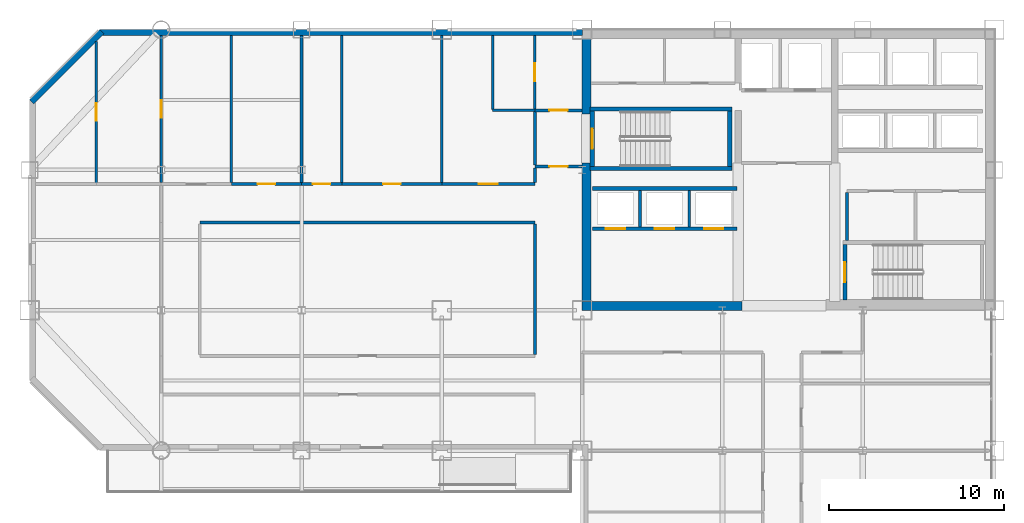
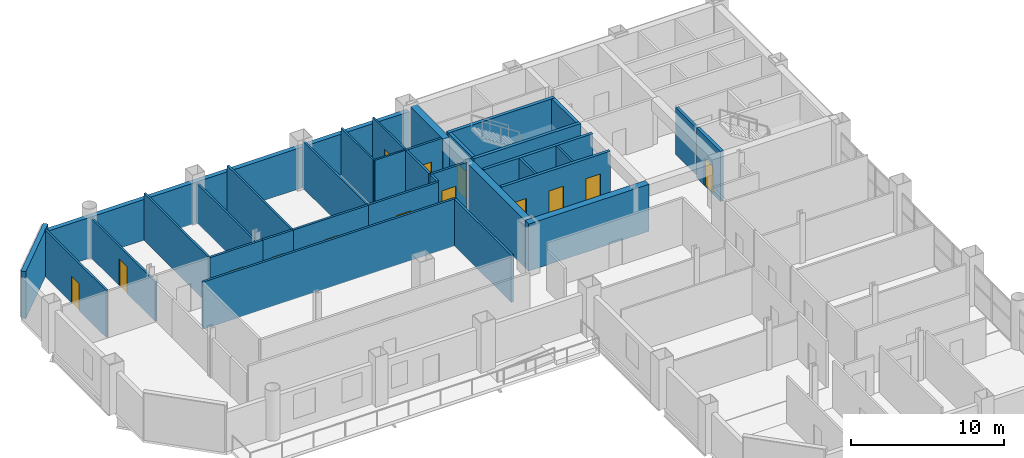
# One storey, part 13 of 16: 34 walls, 14 doors, 14 openings.
"""IFC4 building model written with IfcOpenShell, lengths in metres."""

from ifc_helpers import new_model, si_unit, direction, frame, frame_2d, origin, place, context, subcontext, project, spatial, rectangle, extrude, material, layer, layer_set, type_object, element, fill, save


model = new_model("IFC4")

# Units and contexts
model_context = context("Model", 3, precision=1e-05, world=origin(), true_north=direction((0.0, 1.0)))
body_context = subcontext(model_context, "Body", "Model", "MODEL_VIEW")
ifc_project = project(units=[si_unit("LENGTHUNIT", "METRE"), si_unit("AREAUNIT", "SQUARE_METRE"), si_unit("VOLUMEUNIT", "CUBIC_METRE"), si_unit("PLANEANGLEUNIT", "RADIAN"), si_unit("MASSUNIT", "GRAM", prefix="KILO")], contexts=[model_context])

# Site, building, storey
site_placement = place(None, origin())
site = spatial("IfcSite", under=ifc_project, at=site_placement, CompositionType="ELEMENT")
building_placement = place(site_placement, origin())
building = spatial("IfcBuilding", under=site, at=building_placement, Name="Qianrong Seaharbour Tower", CompositionType="ELEMENT")
storey_placement = place(building_placement, frame((0.0, 0.0, 119.0)))
storey = spatial("IfcBuildingStorey", under=building, at=storey_placement, Name="L28", CompositionType="ELEMENT", Elevation=119.0)

# Walls
ifc_material_1 = material(Name="Concrete C60/75", Category="concrete")
ifc_layer_1 = layer(ifc_material_1, 0.5)
ifc_layer_set_1 = layer_set([ifc_layer_1], Name="Concrete C60/75")
wall_type_1 = type_object("IfcWallType", Name="WALL-CORE-500", PredefinedType="SHEAR", material=ifc_layer_set_1)
wall_1_placement = place(storey_placement, frame((40.75, 36.5, 0.0), z_axis=(0.0, 0.0, 1.0), x_axis=(0.0, 1.0, 0.0)))
element("IfcWall", 1, at=wall_1_placement, inside=storey, type_object=wall_type_1, Name="L28 West Core Shear Wall South", PredefinedType="SHEAR", context=body_context, shape_type="SweptSolid", body=[
    extrude(rectangle(XDim=7.89990234375, YDim=0.5, at=frame_2d((3.949951171875, 0.0))), origin(), (0.0, 0.0, 1.0), 3.764892578125),
])
wall_2_placement = place(storey_placement, frame((40.75, 47.199951171875, 0.0), z_axis=(0.0, 0.0, 1.0), x_axis=(0.0, 1.0, 0.0)))
element("IfcWall", 2, at=wall_2_placement, inside=storey, type_object=wall_type_1, Name="L28 West Core Shear Wall North", PredefinedType="SHEAR", context=body_context, shape_type="SweptSolid", body=[
    extrude(rectangle(XDim=4.300048828125, YDim=0.5, at=frame_2d((2.14990234375, 0.0))), origin(), (0.0, 0.0, 1.0), 3.764892578125),
])
wall_3_placement = place(storey_placement, frame((40.5, 36.25, 0.0), z_axis=(0.0, 0.0, 1.0), x_axis=(1.0, 0.0, 0.0)))
element("IfcWall", 3, at=wall_3_placement, inside=storey, type_object=wall_type_1, Name="L28 South Core Shear Wall S1", PredefinedType="SHEAR", context=body_context, shape_type="SweptSolid", body=[
    extrude(rectangle(XDim=9.10009765625, YDim=0.5, at=frame_2d((4.550048828125, 0.0))), origin(), (0.0, 0.0, 1.0), 3.764892578125),
])

# Wall, opening, door
ifc_material_2 = material(Name="Fire-rated acoustic gypsum board partition")
ifc_layer_2 = layer(ifc_material_2, 0.1650390625)
ifc_layer_set_2 = layer_set([ifc_layer_2], Name="Fire-rated acoustic gypsum board partition")
wall_type_2 = type_object("IfcWallType", Name="WALL-CORR-PART-165", PredefinedType="PARTITIONING", material=ifc_layer_set_2)
wall_4_placement = place(storey_placement, frame((37.800048828125, 47.39990234375, 0.0), z_axis=(0.0, 0.0, 1.0), x_axis=(1.0, 0.0, 0.0)))
wall_4 = element("IfcWall", 4, at=wall_4_placement, inside=storey, type_object=wall_type_2, Name="L28 Interior Partition Wall 001", PredefinedType="PARTITIONING", context=body_context, shape_type="SweptSolid", body=[
    extrude(rectangle(XDim=2.699951171875, YDim=0.1650390625, at=frame_2d((1.35009765625, 0.0))), origin(), (0.0, 0.0, 1.0), 3.764892578125),
])
opening_1_placement = place(wall_4_placement, frame((0.824951171875, 0.0, 0.0)))
opening_1 = element("IfcOpeningElement", 5, at=opening_1_placement, cuts=wall_4, Name="Opening DC-01", PredefinedType="OPENING", context=body_context, shape_type="SweptSolid", body=[
    extrude(rectangle(XDim=1.050048828125, YDim=2.14990234375, at=frame_2d((0.52490234375, 1.074951171875))), frame((0.0, 0.092529296875, 0.0), z_axis=(0.0, -1.0, 0.0), x_axis=(1.0, 0.0, 0.0)), (0.0, 0.0, 1.0), 0.18505859375),
])
ifc_material_3 = material(Name="Acoustic timber and galvanized steel fire door assembly", Category="steel")
door_type_1 = type_object("IfcDoorType", Name="DOOR-CORR-FD60-1050x2150", OperationType="NOTDEFINED", PredefinedType="DOOR", material=ifc_material_3)
door_1_placement = place(opening_1_placement, origin())
door_1 = element("IfcDoor", 6, at=door_1_placement, inside=storey, type_object=door_type_1, Name="L28 Smokeproof Stair Vestibule ST-1 Door", OperationType="SINGLE_SWING_RIGHT", OverallHeight=2.14990234375, OverallWidth=1.050048828125, PredefinedType="DOOR", context=body_context, shape_type="SweptSolid", body=[
    extrude(rectangle(XDim=1.050048828125, YDim=2.14990234375, at=frame_2d((0.52490234375, 1.074951171875))), frame((0.0, 0.02490234375, 0.0), z_axis=(0.0, -1.0, 0.0), x_axis=(1.0, 0.0, 0.0)), (0.0, 0.0, 1.0), 0.050048828125),
])
fill(opening_1, door_1)

wall_5_placement = place(storey_placement, frame((40.5, 44.199951171875, 0.0), z_axis=(0.0, 0.0, 1.0), x_axis=(-1.0, 0.0, 0.0)))
wall_5 = element("IfcWall", 7, at=wall_5_placement, inside=storey, type_object=wall_type_2, Name="L28 Interior Partition Wall 002", PredefinedType="PARTITIONING", context=body_context, shape_type="SweptSolid", body=[
    extrude(rectangle(XDim=2.699951171875, YDim=0.1650390625, at=frame_2d((1.35009765625, 0.0))), origin(), (0.0, 0.0, 1.0), 3.764892578125),
])
opening_2_placement = place(wall_5_placement, frame((0.824951171875, 0.0, 0.0)))
opening_2 = element("IfcOpeningElement", 8, at=opening_2_placement, cuts=wall_5, Name="Opening DC-01", PredefinedType="OPENING", context=body_context, shape_type="SweptSolid", body=[
    extrude(rectangle(XDim=1.050048828125, YDim=2.14990234375, at=frame_2d((0.52490234375, 1.074951171875))), frame((0.0, 0.092529296875, 0.0), z_axis=(0.0, -1.0, 0.0), x_axis=(1.0, 0.0, 0.0)), (0.0, 0.0, 1.0), 0.18505859375),
])
door_2_placement = place(opening_2_placement, origin())
door_2 = element("IfcDoor", 9, at=door_2_placement, inside=storey, type_object=door_type_1, Name="L28 Smokeproof Stair Vestibule ST-1 Door", OperationType="SINGLE_SWING_LEFT", OverallHeight=2.14990234375, OverallWidth=1.050048828125, PredefinedType="DOOR", context=body_context, shape_type="SweptSolid", body=[
    extrude(rectangle(XDim=1.050048828125, YDim=2.14990234375, at=frame_2d((0.52490234375, 1.074951171875))), frame((0.0, 0.02490234375, 0.0), z_axis=(0.0, -1.0, 0.0), x_axis=(1.0, 0.0, 0.0)), (0.0, 0.0, 1.0), 0.050048828125),
])
fill(opening_2, door_2)

# Walls
wall_6_placement = place(storey_placement, frame((37.800048828125, 44.2744140625, 0.0), z_axis=(0.0, 0.0, 1.0), x_axis=(0.0, 1.0, 0.0)))
element("IfcWall", 10, at=wall_6_placement, inside=storey, type_object=wall_type_2, Name="L28 Interior Partition Wall 003", PredefinedType="PARTITIONING", context=body_context, shape_type="SweptSolid", body=[
    extrude(rectangle(XDim=3.051025390625, YDim=0.1650390625, at=frame_2d((1.525390625, 0.0))), origin(), (0.0, 0.0, 1.0), 3.764892578125),
])
wall_7_placement = place(storey_placement, frame((37.800048828125, 41.0, 0.0), z_axis=(0.0, 0.0, 1.0), x_axis=(-1.0, 0.0, 0.0)))
element("IfcWall", 11, at=wall_7_placement, inside=storey, type_object=wall_type_2, Name="L28 Interior Partition Wall 019", PredefinedType="PARTITIONING", context=body_context, shape_type="SweptSolid", body=[
    extrude(rectangle(XDim=19.10009765625, YDim=0.1650390625, at=frame_2d((9.550048828125, 0.0))), origin(), (0.0, 0.0, 1.0), 3.764892578125),
])

# Wall, opening, door
wall_8_placement = place(storey_placement, frame((20.5, 43.199951171875, 0.0), z_axis=(0.0, 0.0, 1.0), x_axis=(1.0, 0.0, 0.0)))
wall_8 = element("IfcWall", 12, at=wall_8_placement, inside=storey, type_object=wall_type_2, Name="L28 Interior Partition Wall 021", PredefinedType="PARTITIONING", context=body_context, shape_type="SweptSolid", body=[
    extrude(rectangle(XDim=4.0, YDim=0.1650390625, at=frame_2d((2.0, 0.0))), origin(), (0.0, 0.0, 1.0), 3.764892578125),
])
opening_3_placement = place(wall_8_placement, frame((1.5, 0.0, 0.0)))
opening_3 = element("IfcOpeningElement", 13, at=opening_3_placement, cuts=wall_8, Name="Opening DO-01", PredefinedType="OPENING", context=body_context, shape_type="SweptSolid", body=[
    extrude(rectangle(XDim=1.0, YDim=2.14990234375, at=frame_2d((0.5, 1.074951171875))), frame((0.0, 0.092529296875, 0.0), z_axis=(0.0, -1.0, 0.0), x_axis=(1.0, 0.0, 0.0)), (0.0, 0.0, 1.0), 0.18505859375),
])
door_type_2 = type_object("IfcDoorType", Name="DOOR-OFFICE-1000x2150", OperationType="NOTDEFINED", PredefinedType="DOOR", material=ifc_material_3)
door_3_placement = place(opening_3_placement, origin())
door_3 = element("IfcDoor", 14, at=door_3_placement, inside=storey, type_object=door_type_2, Name="L28 Executive Office 4 Door", OperationType="SINGLE_SWING_RIGHT", OverallHeight=2.14990234375, OverallWidth=1.0, PredefinedType="DOOR", context=body_context, shape_type="SweptSolid", body=[
    extrude(rectangle(XDim=1.0, YDim=2.14990234375, at=frame_2d((0.5, 1.074951171875))), frame((0.0, 0.02490234375, 0.0), z_axis=(0.0, -1.0, 0.0), x_axis=(1.0, 0.0, 0.0)), (0.0, 0.0, 1.0), 0.050048828125),
])
fill(opening_3, door_3)

wall_9_placement = place(storey_placement, frame((24.5, 43.199951171875, 0.0), z_axis=(0.0, 0.0, 1.0), x_axis=(1.0, 0.0, 0.0)))
wall_9 = element("IfcWall", 15, at=wall_9_placement, inside=storey, type_object=wall_type_2, Name="L28 Interior Partition Wall 022", PredefinedType="PARTITIONING", context=body_context, shape_type="SweptSolid", body=[
    extrude(rectangle(XDim=2.300048828125, YDim=0.1650390625, at=frame_2d((1.14990234375, 0.0))), origin(), (0.0, 0.0, 1.0), 3.764892578125),
])
opening_4_placement = place(wall_9_placement, frame((0.64990234375, 0.0, 0.0)))
opening_4 = element("IfcOpeningElement", 16, at=opening_4_placement, cuts=wall_9, Name="Opening DO-01", PredefinedType="OPENING", context=body_context, shape_type="SweptSolid", body=[
    extrude(rectangle(XDim=1.0, YDim=2.14990234375, at=frame_2d((0.5, 1.074951171875))), frame((0.0, 0.092529296875, 0.0), z_axis=(0.0, -1.0, 0.0), x_axis=(1.0, 0.0, 0.0)), (0.0, 0.0, 1.0), 0.18505859375),
])
door_4_placement = place(opening_4_placement, origin())
door_4 = element("IfcDoor", 17, at=door_4_placement, inside=storey, type_object=door_type_2, Name="L28 Executive Office 5 Door", OperationType="SINGLE_SWING_LEFT", OverallHeight=2.14990234375, OverallWidth=1.0, PredefinedType="DOOR", context=body_context, shape_type="SweptSolid", body=[
    extrude(rectangle(XDim=1.0, YDim=2.14990234375, at=frame_2d((0.5, 1.074951171875))), frame((0.0, 0.02490234375, 0.0), z_axis=(0.0, -1.0, 0.0), x_axis=(1.0, 0.0, 0.0)), (0.0, 0.0, 1.0), 0.050048828125),
])
fill(opening_4, door_4)

wall_10_placement = place(storey_placement, frame((26.800048828125, 43.199951171875, 0.0), z_axis=(0.0, 0.0, 1.0), x_axis=(1.0, 0.0, 0.0)))
wall_10 = element("IfcWall", 18, at=wall_10_placement, inside=storey, type_object=wall_type_2, Name="L28 Interior Partition Wall 023", PredefinedType="PARTITIONING", context=body_context, shape_type="SweptSolid", body=[
    extrude(rectangle(XDim=5.699951171875, YDim=0.1650390625, at=frame_2d((2.85009765625, 0.0))), origin(), (0.0, 0.0, 1.0), 3.764892578125),
])
opening_5_placement = place(wall_10_placement, frame((2.35009765625, 0.0, 0.0)))
opening_5 = element("IfcOpeningElement", 19, at=opening_5_placement, cuts=wall_10, Name="Opening DO-01", PredefinedType="OPENING", context=body_context, shape_type="SweptSolid", body=[
    extrude(rectangle(XDim=1.0, YDim=2.14990234375, at=frame_2d((0.5, 1.074951171875))), frame((0.0, 0.092529296875, 0.0), z_axis=(0.0, -1.0, 0.0), x_axis=(1.0, 0.0, 0.0)), (0.0, 0.0, 1.0), 0.18505859375),
])
door_5_placement = place(opening_5_placement, origin())
door_5 = element("IfcDoor", 20, at=door_5_placement, inside=storey, type_object=door_type_2, Name="L28 Focus Room 6 Door", OperationType="SINGLE_SWING_RIGHT", OverallHeight=2.14990234375, OverallWidth=1.0, PredefinedType="DOOR", context=body_context, shape_type="SweptSolid", body=[
    extrude(rectangle(XDim=1.0, YDim=2.14990234375, at=frame_2d((0.5, 1.074951171875))), frame((0.0, 0.02490234375, 0.0), z_axis=(0.0, -1.0, 0.0), x_axis=(1.0, 0.0, 0.0)), (0.0, 0.0, 1.0), 0.050048828125),
])
fill(opening_5, door_5)

wall_11_placement = place(storey_placement, frame((32.5, 43.199951171875, 0.0), z_axis=(0.0, 0.0, 1.0), x_axis=(1.0, 0.0, 0.0)))
wall_11 = element("IfcWall", 21, at=wall_11_placement, inside=storey, type_object=wall_type_2, Name="L28 Interior Partition Wall 024", PredefinedType="PARTITIONING", context=body_context, shape_type="SweptSolid", body=[
    extrude(rectangle(XDim=5.300048828125, YDim=0.1650390625, at=frame_2d((2.64990234375, 0.0))), origin(), (0.0, 0.0, 1.0), 3.764892578125),
])
opening_6_placement = place(wall_11_placement, frame((2.10009765625, 0.0, 0.0)))
opening_6 = element("IfcOpeningElement", 22, at=opening_6_placement, cuts=wall_11, Name="Opening DM-01", PredefinedType="OPENING", context=body_context, shape_type="SweptSolid", body=[
    extrude(rectangle(XDim=1.10009765625, YDim=2.199951171875, at=frame_2d((0.550048828125, 1.10009765625))), frame((0.0, 0.092529296875, 0.0), z_axis=(0.0, -1.0, 0.0), x_axis=(1.0, 0.0, 0.0)), (0.0, 0.0, 1.0), 0.18505859375),
])
door_type_3 = type_object("IfcDoorType", Name="DOOR-MEET-1100x2200", OperationType="NOTDEFINED", PredefinedType="DOOR", material=ifc_material_3)
door_6_placement = place(opening_6_placement, origin())
door_6 = element("IfcDoor", 23, at=door_6_placement, inside=storey, type_object=door_type_3, Name="L28 Meeting Room 7 Door", OperationType="SINGLE_SWING_LEFT", OverallHeight=2.199951171875, OverallWidth=1.10009765625, PredefinedType="DOOR", context=body_context, shape_type="SweptSolid", body=[
    extrude(rectangle(XDim=1.10009765625, YDim=2.199951171875, at=frame_2d((0.550048828125, 1.10009765625))), frame((0.0, 0.02490234375, 0.0), z_axis=(0.0, -1.0, 0.0), x_axis=(1.0, 0.0, 0.0)), (0.0, 0.0, 1.0), 0.050048828125),
])
fill(opening_6, door_6)

# Walls
wall_12_placement = place(storey_placement, frame((37.800048828125, 33.474609375, 0.0), z_axis=(0.0, 0.0, 1.0), x_axis=(0.0, 1.0, 0.0)))
element("IfcWall", 24, at=wall_12_placement, inside=storey, type_object=wall_type_2, Name="L28 Interior Partition Wall 027", PredefinedType="PARTITIONING", context=body_context, shape_type="SweptSolid", body=[
    extrude(rectangle(XDim=7.450927734375, YDim=0.1650390625, at=frame_2d((3.7255859375, 0.0))), origin(), (0.0, 0.0, 1.0), 3.764892578125),
])
wall_13_placement = place(storey_placement, frame((37.800048828125, 43.2744140625, 0.0), z_axis=(0.0, 0.0, 1.0), x_axis=(0.0, 1.0, 0.0)))
element("IfcWall", 25, at=wall_13_placement, inside=storey, type_object=wall_type_2, Name="L28 Interior Partition Wall 028", PredefinedType="PARTITIONING", context=body_context, shape_type="SweptSolid", body=[
    extrude(rectangle(XDim=0.85107421875, YDim=0.1650390625, at=frame_2d((0.425537109375, 0.0))), origin(), (0.0, 0.0, 1.0), 3.764892578125),
])
ifc_material_4 = material(Name="Unitised buff brick on Precast concrete C45/55", Category="masonry")
ifc_layer_3 = layer(ifc_material_4, 0.340087890625)
ifc_layer_set_3 = layer_set([ifc_layer_3], Name="Unitised buff brick on Precast concrete C45/55")
wall_type_3 = type_object("IfcWallType", Name="WALL-EXT-BRICK-BUFF-340", PredefinedType="SOLIDWALL", material=ifc_layer_set_3)
wall_14_placement = place(storey_placement, frame((9.1201171875, 47.8798828125, 0.0), z_axis=(0.0, 0.0, 1.0), x_axis=(0.707106781187, 0.707106781187, 0.0)))
element("IfcWall", 26, at=wall_14_placement, inside=storey, type_object=wall_type_3, Name="L28 Exterior Masonry Facade Wall E04", PredefinedType="SOLIDWALL", context=body_context, shape_type="SweptSolid", body=[
    extrude(rectangle(XDim=5.65673828125, YDim=0.340087890625, at=frame_2d((2.828369140625, 0.0))), origin(), (0.0, 0.0, 1.0), 3.764892578125),
])
wall_15_placement = place(storey_placement, frame((13.0, 51.830078125, 0.0), z_axis=(0.0, 0.0, 1.0), x_axis=(1.0, 0.0, 0.0)))
element("IfcWall", 27, at=wall_15_placement, inside=storey, type_object=wall_type_3, Name="L28 Exterior Masonry Facade Wall NORTH_WING", PredefinedType="SOLIDWALL", context=body_context, shape_type="SweptSolid", body=[
    extrude(rectangle(XDim=27.52001953125, YDim=0.340087890625, at=frame_2d((13.760009765625, 0.0))), origin(), (0.0, 0.0, 1.0), 3.264892578125),
])
ifc_material_5 = material(Name="Double fire-rated gypsum board acoustic partition")
ifc_layer_4 = layer(ifc_material_5, 0.18994140625)
ifc_layer_set_4 = layer_set([ifc_layer_4], Name="Double fire-rated gypsum board acoustic partition")
wall_type_4 = type_object("IfcWallType", Name="WALL-FIRE-PART-190", PredefinedType="PARTITIONING", material=ifc_layer_set_4)
wall_16_placement = place(storey_placement, frame((55.60009765625, 42.712890625, 0.0), z_axis=(0.0, 0.0, 1.0), x_axis=(0.0, -1.0, 0.0)))
element("IfcWall", 28, at=wall_16_placement, inside=storey, type_object=wall_type_4, Name="L28 Interior Partition Wall 010", PredefinedType="PARTITIONING", context=body_context, shape_type="SweptSolid", body=[
    extrude(rectangle(XDim=2.73095703125, YDim=0.18994140625, at=frame_2d((1.365478515625, 0.0))), origin(), (0.0, 0.0, 1.0), 3.764892578125),
])

# Wall, opening, door
ifc_material_6 = material(Name="Acoustic gypsum board stud partition")
ifc_layer_5 = layer(ifc_material_6, 0.14501953125)
ifc_layer_set_5 = layer_set([ifc_layer_5], Name="Acoustic gypsum board stud partition")
wall_type_5 = type_object("IfcWallType", Name="WALL-OFFICE-PART-145", PredefinedType="PARTITIONING", material=ifc_layer_set_5)
wall_17_placement = place(storey_placement, frame((12.800048828125, 51.33056640625, 0.0), z_axis=(0.0, 0.0, 1.0), x_axis=(0.0, -1.0, 0.0)))
wall_17 = element("IfcWall", 29, at=wall_17_placement, inside=storey, type_object=wall_type_5, Name="L28 Interior Partition Wall 048", PredefinedType="PARTITIONING", context=body_context, shape_type="SweptSolid", body=[
    extrude(rectangle(XDim=8.066162109375, YDim=0.14501953125, at=frame_2d((4.033203125, 0.0))), origin(), (0.0, 0.0, 1.0), 3.764892578125),
])
opening_7_placement = place(wall_17_placement, frame((3.532958984375, 0.0, 0.0)))
opening_7 = element("IfcOpeningElement", 30, at=opening_7_placement, cuts=wall_17, Name="Opening DO-01", PredefinedType="OPENING", context=body_context, shape_type="SweptSolid", body=[
    extrude(rectangle(XDim=1.0, YDim=2.14990234375, at=frame_2d((0.5, 1.074951171875))), frame((0.0, 0.08251953125, 0.0), z_axis=(0.0, -1.0, 0.0), x_axis=(1.0, 0.0, 0.0)), (0.0, 0.0, 1.0), 0.1650390625),
])
door_7_placement = place(opening_7_placement, origin())
door_7 = element("IfcDoor", 31, at=door_7_placement, inside=storey, type_object=door_type_2, Name="L28 Executive Office 1 Door", OperationType="SINGLE_SWING_LEFT", OverallHeight=2.14990234375, OverallWidth=1.0, PredefinedType="DOOR", context=body_context, shape_type="SweptSolid", body=[
    extrude(rectangle(XDim=1.0, YDim=2.14990234375, at=frame_2d((0.5, 1.074951171875))), frame((0.0, 0.02490234375, 0.0), z_axis=(0.0, -1.0, 0.0), x_axis=(1.0, 0.0, 0.0)), (0.0, 0.0, 1.0), 0.050048828125),
])
fill(opening_7, door_7)

wall_18_placement = place(storey_placement, frame((16.5, 51.66796875, 0.0), z_axis=(0.0, 0.0, 1.0), x_axis=(0.0, -1.0, 0.0)))
wall_18 = element("IfcWall", 32, at=wall_18_placement, inside=storey, type_object=wall_type_5, Name="L28 Interior Partition Wall 049", PredefinedType="PARTITIONING", context=body_context, shape_type="SweptSolid", body=[
    extrude(rectangle(XDim=8.3935546875, YDim=0.14501953125, at=frame_2d((4.19677734375, 0.0))), origin(), (0.0, 0.0, 1.0), 3.156982421875),
])
opening_8_placement = place(wall_18_placement, frame((3.69677734375, 0.0, 0.0)))
opening_8 = element("IfcOpeningElement", 33, at=opening_8_placement, cuts=wall_18, Name="Opening DO-01", PredefinedType="OPENING", context=body_context, shape_type="SweptSolid", body=[
    extrude(rectangle(XDim=1.0, YDim=2.14990234375, at=frame_2d((0.5, 1.074951171875))), frame((0.0, 0.08251953125, 0.0), z_axis=(0.0, -1.0, 0.0), x_axis=(1.0, 0.0, 0.0)), (0.0, 0.0, 1.0), 0.1650390625),
])
door_8_placement = place(opening_8_placement, origin())
door_8 = element("IfcDoor", 34, at=door_8_placement, inside=storey, type_object=door_type_2, Name="L28 Focus Room 2 Door", OperationType="SINGLE_SWING_RIGHT", OverallHeight=2.14990234375, OverallWidth=1.0, PredefinedType="DOOR", context=body_context, shape_type="SweptSolid", body=[
    extrude(rectangle(XDim=1.0, YDim=2.14990234375, at=frame_2d((0.5, 1.074951171875))), frame((0.0, 0.02490234375, 0.0), z_axis=(0.0, -1.0, 0.0), x_axis=(1.0, 0.0, 0.0)), (0.0, 0.0, 1.0), 0.050048828125),
])
fill(opening_8, door_8)

# Walls
wall_19_placement = place(storey_placement, frame((20.5, 51.66796875, 0.0), z_axis=(0.0, 0.0, 1.0), x_axis=(0.0, -1.0, 0.0)))
element("IfcWall", 35, at=wall_19_placement, inside=storey, type_object=wall_type_5, Name="L28 Interior Partition Wall 050", PredefinedType="PARTITIONING", context=body_context, shape_type="SweptSolid", body=[
    extrude(rectangle(XDim=8.3935546875, YDim=0.14501953125, at=frame_2d((4.19677734375, 0.0))), origin(), (0.0, 0.0, 1.0), 3.764892578125),
])
wall_20_placement = place(storey_placement, frame((24.5, 51.66796875, 0.0), z_axis=(0.0, 0.0, 1.0), x_axis=(0.0, -1.0, 0.0)))
element("IfcWall", 36, at=wall_20_placement, inside=storey, type_object=wall_type_5, Name="L28 Interior Partition Wall 051", PredefinedType="PARTITIONING", context=body_context, shape_type="SweptSolid", body=[
    extrude(rectangle(XDim=8.3935546875, YDim=0.14501953125, at=frame_2d((4.19677734375, 0.0))), origin(), (0.0, 0.0, 1.0), 3.156982421875),
])
for number, where, z_axis, x_axis, name in (
    (37, (26.800048828125, 51.66796875, 0.0), (0.0, 0.0, 1.0), (0.0, -1.0, 0.0), "L28 Interior Partition Wall 052"),
    (38, (32.5, 51.66796875, 0.0), (0.0, 0.0, 1.0), (0.0, -1.0, 0.0), "L28 Interior Partition Wall 053"),
):
    element("IfcWall", number, at=place(storey_placement, frame(where, z_axis=z_axis, x_axis=x_axis)), inside=storey, type_object=wall_type_5, Name=name, PredefinedType="PARTITIONING", context=body_context, shape_type="SweptSolid", body=[
        extrude(rectangle(XDim=8.3935546875, YDim=0.14501953125, at=frame_2d((4.19677734375, 0.0))), origin(), (0.0, 0.0, 1.0), 3.764892578125),
    ])
ifc_material_7 = material(Name="Fire-rated gypsum board on steel studs", Category="steel")
ifc_layer_6 = layer(ifc_material_7, 0.14990234375)
ifc_layer_set_6 = layer_set([ifc_layer_6], Name="Fire-rated gypsum board on steel studs")
wall_type_6 = type_object("IfcWallType", Name="WALL-SHAFT-DIV-150", PredefinedType="PARTITIONING", material=ifc_layer_set_6)
for number, where, z_axis, x_axis, name in (
    (39, (43.800048828125, 40.760009765625, 0.0), (0.0, 0.0, 1.0), (0.0, 1.0, 0.0), "L28 P2 Lift Hoistway Divider 2"),
    (40, (46.60009765625, 40.760009765625, 0.0), (0.0, 0.0, 1.0), (0.0, 1.0, 0.0), "L28 P2 Lift Hoistway Divider 3"),
):
    element("IfcWall", number, at=place(storey_placement, frame(where, z_axis=z_axis, x_axis=x_axis)), inside=storey, type_object=wall_type_6, Name=name, PredefinedType="PARTITIONING", context=body_context, shape_type="SweptSolid", body=[
        extrude(rectangle(XDim=2.080078125, YDim=0.14990234375, at=frame_2d((1.0400390625, 0.0))), origin(), (0.0, 0.0, 1.0), 3.764892578125),
    ])

# Wall, openings, doors
ifc_layer_7 = layer(ifc_material_7, 0.219970703125)
ifc_layer_set_7 = layer_set([ifc_layer_7], Name="Fire-rated gypsum board on steel studs")
wall_type_7 = type_object("IfcWallType", Name="WALL-SHAFT-GYP220", PredefinedType="PARTITIONING", material=ifc_layer_set_7)
wall_21_placement = place(storey_placement, frame((49.320068359375, 40.64990234375, 0.0), z_axis=(0.0, 0.0, 1.0), x_axis=(-1.0, 0.0, 0.0)))
wall_21 = element("IfcWall", 41, at=wall_21_placement, inside=storey, type_object=wall_type_7, Name="L28 P2 Lift Hoistway Front Wall", PredefinedType="PARTITIONING", context=body_context, shape_type="SweptSolid", body=[
    extrude(rectangle(XDim=8.239990234375, YDim=0.219970703125, at=frame_2d((4.1201171875, 0.0))), origin(), (0.0, 0.0, 1.0), 3.764892578125),
])
opening_9_placement = place(wall_21_placement, frame((6.3701171875, 0.0, 0.0)))
opening_9 = element("IfcOpeningElement", 42, at=opening_9_placement, cuts=wall_21, Name="Opening LD-02", PredefinedType="OPENING", context=body_context, shape_type="SweptSolid", body=[
    extrude(rectangle(XDim=1.10009765625, YDim=2.199951171875, at=frame_2d((0.550048828125, 1.10009765625))), frame((0.0, 0.1201171875, 0.0), z_axis=(0.0, -1.0, 0.0), x_axis=(1.0, 0.0, 0.0)), (0.0, 0.0, 1.0), 0.239990234375),
])
opening_10_placement = place(wall_21_placement, frame((3.570068359375, 0.0, 0.0)))
opening_10 = element("IfcOpeningElement", 43, at=opening_10_placement, cuts=wall_21, Name="Opening LD-02", PredefinedType="OPENING", context=body_context, shape_type="SweptSolid", body=[
    extrude(rectangle(XDim=1.10009765625, YDim=2.199951171875, at=frame_2d((0.550048828125, 1.10009765625))), frame((0.0, 0.1201171875, 0.0), z_axis=(0.0, -1.0, 0.0), x_axis=(1.0, 0.0, 0.0)), (0.0, 0.0, 1.0), 0.239990234375),
])
opening_11_placement = place(wall_21_placement, frame((0.77001953125, 0.0, 0.0)))
opening_11 = element("IfcOpeningElement", 44, at=opening_11_placement, cuts=wall_21, Name="Opening LD-02", PredefinedType="OPENING", context=body_context, shape_type="SweptSolid", body=[
    extrude(rectangle(XDim=1.10009765625, YDim=2.199951171875, at=frame_2d((0.550048828125, 1.10009765625))), frame((0.0, 0.1201171875, 0.0), z_axis=(0.0, -1.0, 0.0), x_axis=(1.0, 0.0, 0.0)), (0.0, 0.0, 1.0), 0.239990234375),
])
ifc_material_8 = material(Name="Stainless steel SUS316L bi-parting lift landing door", Category="steel")
door_type_4 = type_object("IfcDoorType", Name="DOOR-LIFT-PASS-1100x2200", OperationType="DOUBLE_DOOR_SLIDING", PredefinedType="DOOR", material=ifc_material_8)
door_9_placement = place(opening_9_placement, origin())
door_9 = element("IfcDoor", 45, at=door_9_placement, inside=storey, type_object=door_type_4, Name="L28 PL-2A Lift Landing Door", OperationType="DOUBLE_DOOR_SLIDING", OverallHeight=2.199951171875, OverallWidth=1.10009765625, PredefinedType="DOOR", context=body_context, shape_type="SweptSolid", body=[
    extrude(rectangle(XDim=1.10009765625, YDim=2.199951171875, at=frame_2d((0.550048828125, 1.10009765625))), frame((0.0, 0.02490234375, 0.0), z_axis=(0.0, -1.0, 0.0), x_axis=(1.0, 0.0, 0.0)), (0.0, 0.0, 1.0), 0.050048828125),
])
fill(opening_9, door_9)
door_10_placement = place(opening_10_placement, origin())
door_10 = element("IfcDoor", 46, at=door_10_placement, inside=storey, type_object=door_type_4, Name="L28 PL-2B Lift Landing Door", OperationType="DOUBLE_DOOR_SLIDING", OverallHeight=2.199951171875, OverallWidth=1.10009765625, PredefinedType="DOOR", context=body_context, shape_type="SweptSolid", body=[
    extrude(rectangle(XDim=1.10009765625, YDim=2.199951171875, at=frame_2d((0.550048828125, 1.10009765625))), frame((0.0, 0.02490234375, 0.0), z_axis=(0.0, -1.0, 0.0), x_axis=(1.0, 0.0, 0.0)), (0.0, 0.0, 1.0), 0.050048828125),
])
fill(opening_10, door_10)
door_11_placement = place(opening_11_placement, origin())
door_11 = element("IfcDoor", 47, at=door_11_placement, inside=storey, type_object=door_type_4, Name="L28 PL-2C Lift Landing Door", OperationType="DOUBLE_DOOR_SLIDING", OverallHeight=2.199951171875, OverallWidth=1.10009765625, PredefinedType="DOOR", context=body_context, shape_type="SweptSolid", body=[
    extrude(rectangle(XDim=1.10009765625, YDim=2.199951171875, at=frame_2d((0.550048828125, 1.10009765625))), frame((0.0, 0.02490234375, 0.0), z_axis=(0.0, -1.0, 0.0), x_axis=(1.0, 0.0, 0.0)), (0.0, 0.0, 1.0), 0.050048828125),
])
fill(opening_11, door_11)

# Walls
wall_22_placement = place(storey_placement, frame((41.080078125, 42.949951171875, 0.0), z_axis=(0.0, 0.0, 1.0), x_axis=(1.0, 0.0, 0.0)))
element("IfcWall", 48, at=wall_22_placement, inside=storey, type_object=wall_type_7, Name="L28 P2 Lift Hoistway Back Wall", PredefinedType="PARTITIONING", context=body_context, shape_type="SweptSolid", body=[
    extrude(rectangle(XDim=8.239990234375, YDim=0.219970703125, at=frame_2d((4.1201171875, 0.0))), origin(), (0.0, 0.0, 1.0), 3.764892578125),
])
ifc_material_9 = material(Name="Concrete C50/60", Category="concrete")
ifc_layer_8 = layer(ifc_material_9, 0.239990234375)
ifc_layer_set_8 = layer_set([ifc_layer_8], Name="Concrete C50/60")
wall_type_8 = type_object("IfcWallType", Name="WALL-SHAFT-RC240", PredefinedType="SOLIDWALL", material=ifc_layer_set_8)
for number, where, z_axis, x_axis, name in (
    (49, (40.9599609375, 47.469970703125, 0.0), (0.0, 0.0, 1.0), (1.0, 0.0, 0.0), "L28 ST-1 Structural Stair Core Wall N"),
    (50, (49.0400390625, 44.080078125, 0.0), (0.0, 0.0, 1.0), (-1.0, 0.0, 0.0), "L28 ST-1 Structural Stair Core Wall S"),
):
    element("IfcWall", number, at=place(storey_placement, frame(where, z_axis=z_axis, x_axis=x_axis)), inside=storey, type_object=wall_type_8, Name=name, PredefinedType="SOLIDWALL", context=body_context, shape_type="SweptSolid", body=[
        extrude(rectangle(XDim=8.080078125, YDim=0.239990234375, at=frame_2d((4.0400390625, 0.0))), origin(), (0.0, 0.0, 1.0), 4.0),
    ])

# Wall, opening, door
wall_23_placement = place(storey_placement, frame((41.080078125, 47.35009765625, 0.0), z_axis=(0.0, 0.0, 1.0), x_axis=(0.0, -1.0, 0.0)))
wall_23 = element("IfcWall", 51, at=wall_23_placement, inside=storey, type_object=wall_type_8, Name="L28 ST-1 Structural Stair Core Wall W", PredefinedType="SOLIDWALL", context=body_context, shape_type="SweptSolid", body=[
    extrude(rectangle(XDim=3.150146484375, YDim=0.239990234375, at=frame_2d((1.5751953125, 0.0))), origin(), (0.0, 0.0, 1.0), 4.0),
])
opening_12_placement = place(wall_23_placement, frame((1.0, 0.0, 0.0)))
opening_12 = element("IfcOpeningElement", 52, at=opening_12_placement, cuts=wall_23, Name="Opening SD-01", PredefinedType="OPENING", context=body_context, shape_type="SweptSolid", body=[
    extrude(rectangle(XDim=1.14990234375, YDim=2.199951171875, at=frame_2d((0.574951171875, 1.10009765625))), frame((0.0, 0.1298828125, 0.0), z_axis=(0.0, -1.0, 0.0), x_axis=(1.0, 0.0, 0.0)), (0.0, 0.0, 1.0), 0.260009765625),
])
door_type_5 = type_object("IfcDoorType", Name="DOOR-STAIR-FD60-1150x2200", OperationType="NOTDEFINED", PredefinedType="DOOR", material=ifc_material_3)
door_12_placement = place(opening_12_placement, origin())
door_12 = element("IfcDoor", 53, at=door_12_placement, inside=storey, type_object=door_type_5, Name="L28 ST-1 Protected Stair Door", OperationType="SINGLE_SWING_LEFT", OverallHeight=2.199951171875, OverallWidth=1.14990234375, PredefinedType="DOOR", context=body_context, shape_type="SweptSolid", body=[
    extrude(rectangle(XDim=1.14990234375, YDim=2.199951171875, at=frame_2d((0.574951171875, 1.10009765625))), frame((0.0, 0.02490234375, 0.0), z_axis=(0.0, -1.0, 0.0), x_axis=(1.0, 0.0, 0.0)), (0.0, 0.0, 1.0), 0.050048828125),
])
fill(opening_12, door_12)

# Wall
wall_24_placement = place(storey_placement, frame((48.919921875, 44.199951171875, 0.0), z_axis=(0.0, 0.0, 1.0), x_axis=(0.0, 1.0, 0.0)))
element("IfcWall", 54, at=wall_24_placement, inside=storey, type_object=wall_type_8, Name="L28 ST-1 Structural Stair Core Wall E", PredefinedType="SOLIDWALL", context=body_context, shape_type="SweptSolid", body=[
    extrude(rectangle(XDim=3.150146484375, YDim=0.239990234375, at=frame_2d((1.5751953125, 0.0))), origin(), (0.0, 0.0, 1.0), 4.0),
])

# Wall, opening, door
wall_25_placement = place(storey_placement, frame((55.47998046875, 39.75, 0.0), z_axis=(0.0, 0.0, 1.0), x_axis=(0.0, -1.0, 0.0)))
wall_25 = element("IfcWall", 55, at=wall_25_placement, inside=storey, type_object=wall_type_8, Name="L28 ST-2 Structural Stair Core Wall W", PredefinedType="SOLIDWALL", context=body_context, shape_type="SweptSolid", body=[
    extrude(rectangle(XDim=3.14990234375, YDim=0.239990234375, at=frame_2d((1.574951171875, 0.0))), origin(), (0.0, 0.0, 1.0), 4.0),
])
opening_13_placement = place(wall_25_placement, frame((1.0, 0.0, 0.0)))
opening_13 = element("IfcOpeningElement", 56, at=opening_13_placement, cuts=wall_25, Name="Opening SD-01", PredefinedType="OPENING", context=body_context, shape_type="SweptSolid", body=[
    extrude(rectangle(XDim=1.14990234375, YDim=2.199951171875, at=frame_2d((0.574951171875, 1.10009765625))), frame((0.0, 0.1298828125, 0.0), z_axis=(0.0, -1.0, 0.0), x_axis=(1.0, 0.0, 0.0)), (0.0, 0.0, 1.0), 0.260009765625),
])
door_13_placement = place(opening_13_placement, origin())
door_13 = element("IfcDoor", 57, at=door_13_placement, inside=storey, type_object=door_type_5, Name="L28 ST-2 Protected Stair Door", OperationType="SINGLE_SWING_LEFT", OverallHeight=2.199951171875, OverallWidth=1.14990234375, PredefinedType="DOOR", context=body_context, shape_type="SweptSolid", body=[
    extrude(rectangle(XDim=1.14990234375, YDim=2.199951171875, at=frame_2d((0.574951171875, 1.10009765625))), frame((0.0, 0.02490234375, 0.0), z_axis=(0.0, -1.0, 0.0), x_axis=(1.0, 0.0, 0.0)), (0.0, 0.0, 1.0), 0.050048828125),
])
fill(opening_13, door_13)

ifc_material_10 = material(Name="Water-resistant cement board sanitary partition")
ifc_layer_9 = layer(ifc_material_10, 0.1298828125)
ifc_layer_set_9 = layer_set([ifc_layer_9], Name="Water-resistant cement board sanitary partition")
wall_type_9 = type_object("IfcWallType", Name="WALL-WET-PART-130", PredefinedType="PARTITIONING", material=ifc_layer_set_9)
wall_26_placement = place(storey_placement, frame((37.800048828125, 47.474609375, 0.0), z_axis=(0.0, 0.0, 1.0), x_axis=(0.0, 1.0, 0.0)))
wall_26 = element("IfcWall", 58, at=wall_26_placement, inside=storey, type_object=wall_type_9, Name="L28 Interior Partition Wall 004", PredefinedType="PARTITIONING", context=body_context, shape_type="SweptSolid", body=[
    extrude(rectangle(XDim=4.193359375, YDim=0.1298828125, at=frame_2d((2.0966796875, 0.0))), origin(), (0.0, 0.0, 1.0), 3.764892578125),
])
opening_14_placement = place(wall_26_placement, frame((1.5869140625, 0.0, 0.0)))
opening_14 = element("IfcOpeningElement", 59, at=opening_14_placement, cuts=wall_26, Name="Opening DAW-01", PredefinedType="OPENING", context=body_context, shape_type="SweptSolid", body=[
    extrude(rectangle(XDim=1.02001953125, YDim=2.14990234375, at=frame_2d((0.510009765625, 1.074951171875))), frame((0.0, 0.074951171875, 0.0), z_axis=(0.0, -1.0, 0.0), x_axis=(1.0, 0.0, 0.0)), (0.0, 0.0, 1.0), 0.14990234375),
])
door_type_6 = type_object("IfcDoorType", Name="DOOR-AWC-SLIDE-1020x2150", OperationType="SLIDING_TO_LEFT", PredefinedType="DOOR", material=ifc_material_3)
door_14_placement = place(opening_14_placement, origin())
door_14 = element("IfcDoor", 60, at=door_14_placement, inside=storey, type_object=door_type_6, Name="L28 Accessible Restroom WC Door", OperationType="SLIDING_TO_LEFT", OverallHeight=2.14990234375, OverallWidth=1.02001953125, PredefinedType="DOOR", context=body_context, shape_type="SweptSolid", body=[
    extrude(rectangle(XDim=1.02001953125, YDim=2.14990234375, at=frame_2d((0.510009765625, 1.074951171875))), frame((0.0, 0.02490234375, 0.0), z_axis=(0.0, -1.0, 0.0), x_axis=(1.0, 0.0, 0.0)), (0.0, 0.0, 1.0), 0.050048828125),
])
fill(opening_14, door_14)

# Walls
wall_27_placement = place(storey_placement, frame((37.800048828125, 47.39990234375, 0.0), z_axis=(0.0, 0.0, 1.0), x_axis=(-1.0, 0.0, 0.0)))
element("IfcWall", 61, at=wall_27_placement, inside=storey, type_object=wall_type_9, Name="L28 Interior Partition Wall 005", PredefinedType="PARTITIONING", context=body_context, shape_type="SweptSolid", body=[
    extrude(rectangle(XDim=2.400146484375, YDim=0.1298828125, at=frame_2d((1.2001953125, 0.0))), origin(), (0.0, 0.0, 1.0), 3.764892578125),
])
wall_28_placement = place(storey_placement, frame((35.39990234375, 47.45703125, 0.0), z_axis=(0.0, 0.0, 1.0), x_axis=(0.0, 1.0, 0.0)))
element("IfcWall", 62, at=wall_28_placement, inside=storey, type_object=wall_type_9, Name="L28 Interior Partition Wall 006", PredefinedType="PARTITIONING", context=body_context, shape_type="SweptSolid", body=[
    extrude(rectangle(XDim=4.2109375, YDim=0.1298828125, at=frame_2d((2.10546875, 0.0))), origin(), (0.0, 0.0, 1.0), 3.764892578125),
])

save(model, "model.ifc")
